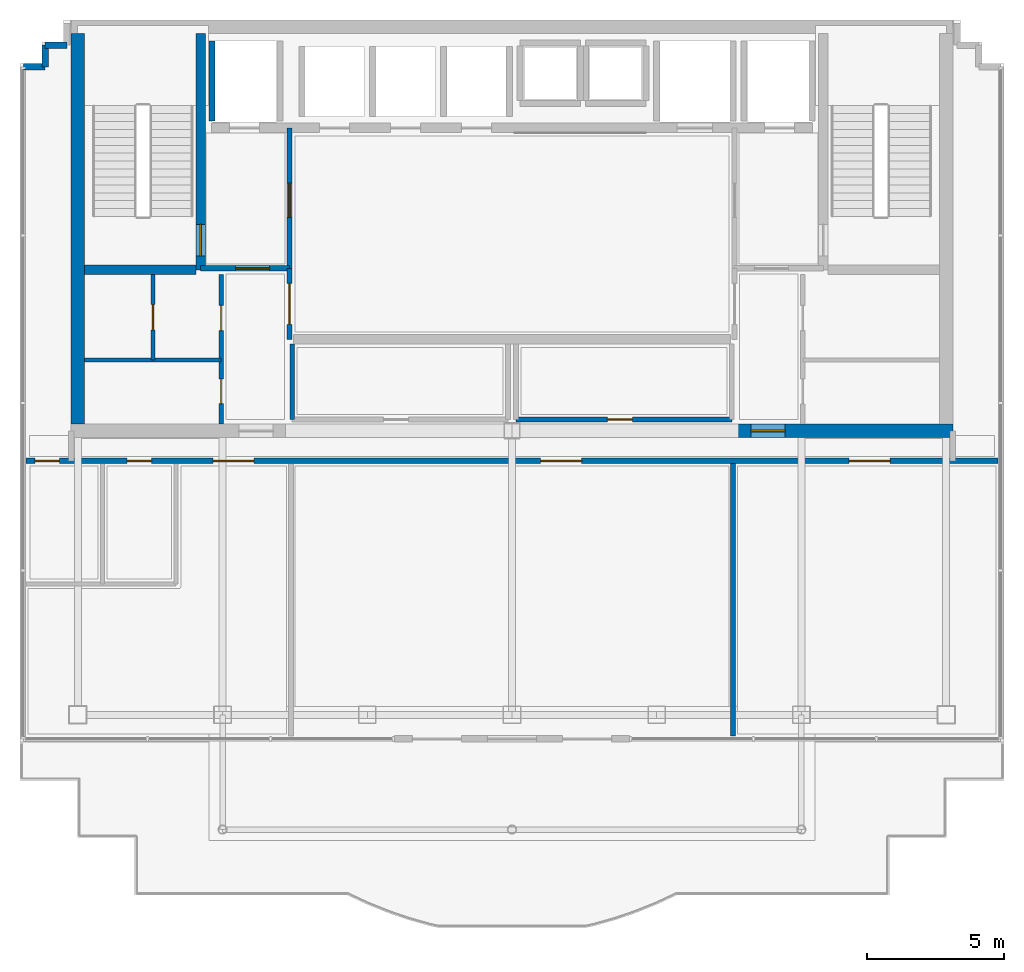
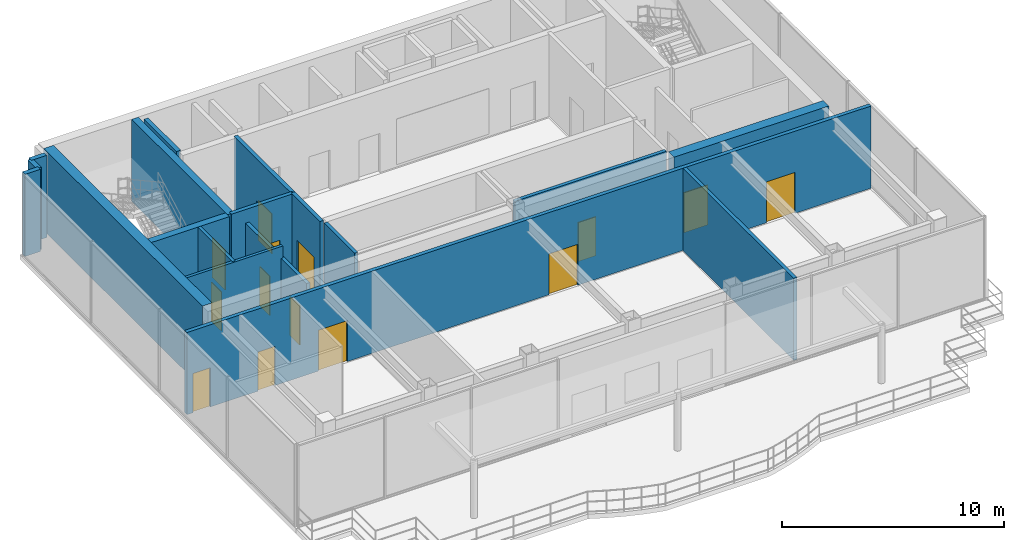
# One storey, part 5 of 11: 18 walls, 14 doors, 14 openings.
"""IFC4 building model written with IfcOpenShell, lengths in metres."""

from ifc_helpers import new_model, si_unit, direction, frame, frame_2d, origin, place, context, subcontext, project, spatial, rectangle, extrude, material, layer, layer_set, type_object, element, fill, save


model = new_model("IFC4")

# Units and contexts
model_context = context("Model", 3, precision=1e-05, world=origin(), true_north=direction((0.0, 1.0)))
body_context = subcontext(model_context, "Body", "Model", "MODEL_VIEW")
ifc_project = project(units=[si_unit("LENGTHUNIT", "METRE"), si_unit("AREAUNIT", "SQUARE_METRE"), si_unit("VOLUMEUNIT", "CUBIC_METRE"), si_unit("PLANEANGLEUNIT", "RADIAN"), si_unit("MASSUNIT", "GRAM", prefix="KILO")], contexts=[model_context])

# Site, building, storey
site_placement = place(None, origin())
site = spatial("IfcSite", under=ifc_project, at=site_placement, CompositionType="ELEMENT")
building_placement = place(site_placement, origin())
building = spatial("IfcBuilding", under=site, at=building_placement, Name="Qianlan Lanfeng Residences", CompositionType="ELEMENT")
storey_placement = place(building_placement, frame((0.0, 0.0, 266.0)))
storey = spatial("IfcBuildingStorey", under=building, at=storey_placement, Name="L74", CompositionType="ELEMENT", Elevation=266.0)

# Wall
ifc_material_1 = material(Name="Concrete C49", Category="concrete")
ifc_layer_1 = layer(ifc_material_1, 0.5)
ifc_layer_set_1 = layer_set([ifc_layer_1], Name="Concrete C49")
wall_type_1 = type_object("IfcWallType", Name="CW-EXT-500", PredefinedType="SHEAR", material=ifc_layer_set_1)
wall_1_placement = place(storey_placement, frame((10.60009765625, 25.449951171875, 0.0), z_axis=(0.0, 0.0, 1.0), x_axis=(0.0, 1.0, 0.0)))
element("IfcWall", 1, at=wall_1_placement, inside=storey, type_object=wall_type_1, Name="L74 Core Shear Wall W", PredefinedType="SHEAR", context=body_context, shape_type="SweptSolid", body=[
    extrude(rectangle(XDim=14.300048828125, YDim=0.5, at=frame_2d((7.14990234375, 0.0))), origin(), (0.0, 0.0, 1.0), 4.52001953125),
])

# Wall, opening, door
ifc_layer_2 = layer(ifc_material_1, 0.35009765625)
ifc_layer_set_2 = layer_set([ifc_layer_2], Name="Concrete C49")
wall_type_2 = type_object("IfcWallType", Name="CW-RC-350", PredefinedType="SHEAR", material=ifc_layer_set_2)
wall_2_placement = place(storey_placement, frame((15.10009765625, 31.10009765625, 0.0), z_axis=(0.0, 0.0, 1.0), x_axis=(0.0, 1.0, 0.0)))
wall_2 = element("IfcWall", 2, at=wall_2_placement, inside=storey, type_object=wall_type_2, Name="L74 Core Shear Wall ST1E", PredefinedType="SHEAR", context=body_context, shape_type="SweptSolid", body=[
    extrude(rectangle(XDim=8.64990234375, YDim=0.35009765625, at=frame_2d((4.324951171875, 0.0))), origin(), (0.0, 0.0, 1.0), 4.52001953125),
])
opening_1_placement = place(wall_2_placement, frame((0.510009765625, 0.0, 0.0)))
opening_1 = element("IfcOpeningElement", 3, at=opening_1_placement, cuts=wall_2, Name="Opening L74-D07", PredefinedType="OPENING", context=body_context, shape_type="SweptSolid", body=[
    extrude(rectangle(XDim=1.14990234375, YDim=2.199951171875, at=frame_2d((0.574951171875, 1.10009765625))), frame((0.0, 0.18505859375, 0.0), z_axis=(0.0, -1.0, 0.0), x_axis=(1.0, 0.0, 0.0)), (0.0, 0.0, 1.0), 0.3701171875),
])
ifc_material_2 = material(Name="Painted Galvanised Steel Fire Door", Category="steel")
door_type_1 = type_object("IfcDoorType", Name="DT-ST1", OperationType="NOTDEFINED", PredefinedType="DOOR", material=ifc_material_2)
door_1_placement = place(opening_1_placement, frame((1.14990234375, 0.0, 0.0), z_axis=(0.0, 0.0, 1.0), x_axis=(-1.0, 0.0, 0.0)))
door_1 = element("IfcDoor", 4, at=door_1_placement, inside=storey, type_object=door_type_1, Name="L74 Exit Stair ST-1 Door L74-D07 (DT-ST1)", OperationType="SINGLE_SWING_RIGHT", OverallHeight=2.199951171875, OverallWidth=1.14990234375, PredefinedType="DOOR", context=body_context, shape_type="SweptSolid", body=[
    extrude(rectangle(XDim=1.14990234375, YDim=2.199951171875, at=frame_2d((0.574951171875, 1.10009765625))), frame((0.0, 0.02490234375, 0.0), z_axis=(0.0, -1.0, 0.0), x_axis=(1.0, 0.0, 0.0)), (0.0, 0.0, 1.0), 0.050048828125),
])
fill(opening_1, door_1)

# Wall
wall_3_placement = place(storey_placement, frame((10.85009765625, 31.10009765625, 0.0), z_axis=(0.0, 0.0, 1.0), x_axis=(1.0, 0.0, 0.0)))
element("IfcWall", 5, at=wall_3_placement, inside=storey, type_object=wall_type_2, Name="L74 Core Shear Wall ST1S", PredefinedType="SHEAR", context=body_context, shape_type="SweptSolid", body=[
    extrude(rectangle(XDim=4.074951171875, YDim=0.35009765625, at=frame_2d((2.03759765625, 0.0))), origin(), (0.0, 0.0, 1.0), 4.52001953125),
])

# Wall, opening, door
ifc_material_3 = material(Name="Concrete C70", Category="concrete")
ifc_layer_3 = layer(ifc_material_3, 0.5)
ifc_layer_set_3 = layer_set([ifc_layer_3], Name="Concrete C70")
wall_type_3 = type_object("IfcWallType", Name="CW-RC-500", PredefinedType="SHEAR", material=ifc_layer_set_3)
wall_4_placement = place(storey_placement, frame((34.60009765625, 25.199951171875, 0.0), z_axis=(0.0, 0.0, 1.0), x_axis=(1.0, 0.0, 0.0)))
wall_4 = element("IfcWall", 6, at=wall_4_placement, inside=storey, type_object=wall_type_3, Name="L74 Core Shear Wall SE", PredefinedType="SHEAR", context=body_context, shape_type="SweptSolid", body=[
    extrude(rectangle(XDim=8.0498046875, YDim=0.5, at=frame_2d((4.02490234375, 0.0))), origin(), (0.0, 0.0, 1.0), 4.52001953125),
])
opening_2_placement = place(wall_4_placement, frame((0.64990234375, 0.0, 0.0)))
opening_2 = element("IfcOpeningElement", 7, at=opening_2_placement, cuts=wall_4, Name="Opening L74-D02", PredefinedType="OPENING", context=body_context, shape_type="SweptSolid", body=[
    extrude(rectangle(XDim=1.25, YDim=2.199951171875, at=frame_2d((0.625, 1.10009765625))), frame((0.0, 0.260009765625, 0.0), z_axis=(0.0, -1.0, 0.0), x_axis=(1.0, 0.0, 0.0)), (0.0, 0.0, 1.0), 0.52001953125),
])
door_type_2 = type_object("IfcDoorType", Name="DT-FFL", OperationType="NOTDEFINED", PredefinedType="DOOR", material=ifc_material_2)
door_2_placement = place(opening_2_placement, origin())
door_2 = element("IfcDoor", 8, at=door_2_placement, inside=storey, type_object=door_type_2, Name="L74 East Core Lobby Smoke Door L74-D02 (DT-FFL)", OperationType="SINGLE_SWING_LEFT", OverallHeight=2.199951171875, OverallWidth=1.25, PredefinedType="DOOR", context=body_context, shape_type="SweptSolid", body=[
    extrude(rectangle(XDim=1.25, YDim=2.199951171875, at=frame_2d((0.625, 1.10009765625))), frame((0.0, 0.02490234375, 0.0), z_axis=(0.0, -1.0, 0.0), x_axis=(1.0, 0.0, 0.0)), (0.0, 0.0, 1.0), 0.050048828125),
])
fill(opening_2, door_2)

# Walls
ifc_material_4 = material(Name="Concrete C42", Category="concrete")
ifc_layer_4 = layer(ifc_material_4, 0.239990234375)
ifc_layer_set_4 = layer_set([ifc_layer_4], Name="Concrete C42")
wall_type_4 = type_object("IfcWallType", Name="EW-240", PredefinedType="SOLIDWALL", material=ifc_layer_set_4)
for number, where, z_axis, x_axis, name in (
    (9, (10.199951171875, 39.330078125, 0.0), (0.0, 0.0, 1.0), (-1.0, 0.0, 0.0), "L74 Exterior Facade Wall 3"),
    (10, (9.39990234375, 39.330078125, 0.0), (0.0, 0.0, 1.0), (0.0, -1.0, 0.0), "L74 Exterior Facade Wall 4"),
):
    element("IfcWall", number, at=place(storey_placement, frame(where, z_axis=z_axis, x_axis=x_axis)), inside=storey, type_object=wall_type_4, Name=name, PredefinedType="SOLIDWALL", context=body_context, shape_type="SweptSolid", body=[
        extrude(rectangle(XDim=0.800048828125, YDim=0.239990234375, at=frame_2d((0.39990234375, 0.0))), origin(), (0.0, 0.0, 1.0), 4.52001953125),
    ])
wall_5_placement = place(storey_placement, frame((9.39990234375, 38.530029296875, 0.0), z_axis=(0.0, 0.0, 1.0), x_axis=(-1.0, 0.0, 0.0)))
element("IfcWall", 11, at=wall_5_placement, inside=storey, type_object=wall_type_4, Name="L74 Exterior Facade Wall 5", PredefinedType="SOLIDWALL", context=body_context, shape_type="SweptSolid", body=[
    extrude(rectangle(XDim=0.7998046875, YDim=0.239990234375, at=frame_2d((0.39990234375, 0.0))), origin(), (0.0, 0.0, 1.0), 4.52001953125),
])
ifc_material_5 = material(Name="Acoustic Drywall Partition 150 mm")
ifc_layer_5 = layer(ifc_material_5, 0.14990234375)
ifc_layer_set_5 = layer_set([ifc_layer_5], Name="Acoustic Drywall Partition 150 mm")
wall_type_5 = type_object("IfcWallType", Name="PW-150", PredefinedType="PARTITIONING", material=ifc_layer_set_5)
wall_6_placement = place(storey_placement, frame((10.85009765625, 27.800048828125, 0.0), z_axis=(0.0, 0.0, 1.0), x_axis=(1.0, 0.0, 0.0)))
element("IfcWall", 12, at=wall_6_placement, inside=storey, type_object=wall_type_5, Name="L74 Core West H4", PredefinedType="PARTITIONING", context=body_context, shape_type="SweptSolid", body=[
    extrude(rectangle(XDim=5.0, YDim=0.14990234375, at=frame_2d((2.5, 0.0))), origin(), (0.0, 0.0, 1.0), 4.52001953125),
])

# Wall, opening, door
wall_7_placement = place(storey_placement, frame((13.35009765625, 27.800048828125, 0.0), z_axis=(0.0, 0.0, 1.0), x_axis=(0.0, 1.0, 0.0)))
wall_7 = element("IfcWall", 13, at=wall_7_placement, inside=storey, type_object=wall_type_5, Name="L74 Core West V4", PredefinedType="PARTITIONING", context=body_context, shape_type="SweptSolid", body=[
    extrude(rectangle(XDim=3.125, YDim=0.14990234375, at=frame_2d((1.5625, 0.0))), origin(), (0.0, 0.0, 1.0), 4.52001953125),
])
opening_3_placement = place(wall_7_placement, frame((1.10302734375, 0.0, 0.0)))
opening_3 = element("IfcOpeningElement", 14, at=opening_3_placement, cuts=wall_7, Name="Opening L74-D11", PredefinedType="OPENING", context=body_context, shape_type="SweptSolid", body=[
    extrude(rectangle(XDim=0.919921875, YDim=2.14990234375, at=frame_2d((0.4599609375, 1.074951171875))), frame((0.0, 0.0849609375, 0.0), z_axis=(0.0, -1.0, 0.0), x_axis=(1.0, 0.0, 0.0)), (0.0, 0.0, 1.0), 0.169921875),
])
ifc_material_6 = material(Name="Glazed Timber Kitchen/Study Door", Category="wood")
door_type_3 = type_object("IfcDoorType", Name="DT-INT", OperationType="NOTDEFINED", PredefinedType="DOOR", material=ifc_material_6)
door_3_placement = place(opening_3_placement, origin())
door_3 = element("IfcDoor", 15, at=door_3_placement, inside=storey, type_object=door_type_3, Name="L74 Linen Store Door L74-D11 (DT-INT)", OperationType="SINGLE_SWING_RIGHT", OverallHeight=2.14990234375, OverallWidth=0.919921875, PredefinedType="DOOR", context=body_context, shape_type="SweptSolid", body=[
    extrude(rectangle(XDim=0.919921875, YDim=2.14990234375, at=frame_2d((0.4599609375, 1.074951171875))), frame((0.0, 0.02490234375, 0.0), z_axis=(0.0, -1.0, 0.0), x_axis=(1.0, 0.0, 0.0)), (0.0, 0.0, 1.0), 0.050048828125),
])
fill(opening_3, door_3)

# Wall, openings, doors
ifc_material_7 = material(Name="Double-Layer Acoustic Gypsum Stud Wall 180 mm")
ifc_layer_6 = layer(ifc_material_7, 0.179931640625)
ifc_layer_set_6 = layer_set([ifc_layer_6], Name="Double-Layer Acoustic Gypsum Stud Wall 180 mm")
wall_type_6 = type_object("IfcWallType", Name="PW-180", PredefinedType="PARTITIONING", material=ifc_layer_set_6)
wall_8_placement = place(storey_placement, frame((15.85009765625, 25.449951171875, 0.0), z_axis=(0.0, 0.0, 1.0), x_axis=(0.0, 1.0, 0.0)))
wall_8 = element("IfcWall", 16, at=wall_8_placement, inside=storey, type_object=wall_type_6, Name="L74 Core West Service Room Wall", PredefinedType="PARTITIONING", context=body_context, shape_type="SweptSolid", body=[
    extrude(rectangle(XDim=5.47509765625, YDim=0.179931640625, at=frame_2d((2.737548828125, 0.0))), origin(), (0.0, 0.0, 1.0), 3.864990234375),
])
opening_4_placement = place(wall_8_placement, frame((0.75, 0.0, 0.0)))
opening_4 = element("IfcOpeningElement", 17, at=opening_4_placement, cuts=wall_8, Name="Opening L74-D09", PredefinedType="OPENING", context=body_context, shape_type="SweptSolid", body=[
    extrude(rectangle(XDim=0.89990234375, YDim=2.14990234375, at=frame_2d((0.449951171875, 1.074951171875))), frame((0.0, 0.10009765625, 0.0), z_axis=(0.0, -1.0, 0.0), x_axis=(1.0, 0.0, 0.0)), (0.0, 0.0, 1.0), 0.199951171875),
])
opening_5_placement = place(wall_8_placement, frame((3.427001953125, 0.0, 0.0)))
opening_5 = element("IfcOpeningElement", 18, at=opening_5_placement, cuts=wall_8, Name="Opening L74-D10", PredefinedType="OPENING", context=body_context, shape_type="SweptSolid", body=[
    extrude(rectangle(XDim=0.919921875, YDim=2.14990234375, at=frame_2d((0.4599609375, 1.074951171875))), frame((0.0, 0.10009765625, 0.0), z_axis=(0.0, -1.0, 0.0), x_axis=(1.0, 0.0, 0.0)), (0.0, 0.0, 1.0), 0.199951171875),
])
door_4_placement = place(opening_5_placement, origin())
door_4 = element("IfcDoor", 19, at=door_4_placement, inside=storey, type_object=door_type_3, Name="L74 Janitor Hall Door L74-D10 (DT-INT)", OperationType="SINGLE_SWING_LEFT", OverallHeight=2.14990234375, OverallWidth=0.919921875, PredefinedType="DOOR", context=body_context, shape_type="SweptSolid", body=[
    extrude(rectangle(XDim=0.919921875, YDim=2.14990234375, at=frame_2d((0.4599609375, 1.074951171875))), frame((0.0, 0.02490234375, 0.0), z_axis=(0.0, -1.0, 0.0), x_axis=(1.0, 0.0, 0.0)), (0.0, 0.0, 1.0), 0.050048828125),
])
fill(opening_5, door_4)
ifc_material_8 = material(Name="Moisture-Resistant Timber Leaf", Category="wood")
door_type_4 = type_object("IfcDoorType", Name="DT-WC", OperationType="NOTDEFINED", PredefinedType="DOOR", material=ifc_material_8)
door_5_placement = place(opening_4_placement, origin())
door_5 = element("IfcDoor", 20, at=door_5_placement, inside=storey, type_object=door_type_4, Name="L74 Staff WC Door L74-D09 (DT-WC)", OperationType="SINGLE_SWING_LEFT", OverallHeight=2.14990234375, OverallWidth=0.89990234375, PredefinedType="DOOR", context=body_context, shape_type="SweptSolid", body=[
    extrude(rectangle(XDim=0.89990234375, YDim=2.14990234375, at=frame_2d((0.449951171875, 1.074951171875))), frame((0.0, 0.02490234375, 0.0), z_axis=(0.0, -1.0, 0.0), x_axis=(1.0, 0.0, 0.0)), (0.0, 0.0, 1.0), 0.050048828125),
])
fill(opening_4, door_5)

# Wall
wall_9_placement = place(storey_placement, frame((18.449951171875, 25.6201171875, 0.0), z_axis=(0.0, 0.0, 1.0), x_axis=(0.0, 1.0, 0.0)))
element("IfcWall", 21, at=wall_9_placement, inside=storey, type_object=wall_type_6, Name="L74 Reclaimed Low-Bank Room West Wall", PredefinedType="PARTITIONING", context=body_context, shape_type="SweptSolid", body=[
    extrude(rectangle(XDim=2.7548828125, YDim=0.179931640625, at=frame_2d((1.37744140625, 0.0))), origin(), (0.0, 0.0, 1.0), 4.52001953125),
])

# Wall, opening, door
wall_10_placement = place(storey_placement, frame((26.64990234375, 25.6201171875, 0.0), z_axis=(0.0, 0.0, 1.0), x_axis=(1.0, 0.0, 0.0)))
wall_10 = element("IfcWall", 22, at=wall_10_placement, inside=storey, type_object=wall_type_6, Name="L74 Reclaimed Mid-Bank Room South Wall", PredefinedType="PARTITIONING", context=body_context, shape_type="SweptSolid", body=[
    extrude(rectangle(XDim=7.900146484375, YDim=0.179931640625, at=frame_2d((3.9501953125, 0.0))), origin(), (0.0, 0.0, 1.0), 4.52001953125),
])
opening_6_placement = place(wall_10_placement, frame((3.340087890625, 0.0, 0.0)))
opening_6 = element("IfcOpeningElement", 23, at=opening_6_placement, cuts=wall_10, Name="Opening L74-D17", PredefinedType="OPENING", context=body_context, shape_type="SweptSolid", body=[
    extrude(rectangle(XDim=0.919921875, YDim=2.14990234375, at=frame_2d((0.4599609375, 1.074951171875))), frame((0.0, 0.10009765625, 0.0), z_axis=(0.0, -1.0, 0.0), x_axis=(1.0, 0.0, 0.0)), (0.0, 0.0, 1.0), 0.199951171875),
])
door_6_placement = place(opening_6_placement, origin())
door_6 = element("IfcDoor", 24, at=door_6_placement, inside=storey, type_object=door_type_3, Name="L74 Reclaimed Mid-Bank Salon Door L74-D17 (DT-INT)", OperationType="SINGLE_SWING_RIGHT", OverallHeight=2.14990234375, OverallWidth=0.919921875, PredefinedType="DOOR", context=body_context, shape_type="SweptSolid", body=[
    extrude(rectangle(XDim=0.919921875, YDim=2.14990234375, at=frame_2d((0.4599609375, 1.074951171875))), frame((0.0, 0.02490234375, 0.0), z_axis=(0.0, -1.0, 0.0), x_axis=(1.0, 0.0, 0.0)), (0.0, 0.0, 1.0), 0.050048828125),
])
fill(opening_6, door_6)

# Wall
wall_11_placement = place(storey_placement, frame((34.60009765625, 14.02001953125, 0.0), z_axis=(0.0, 0.0, 1.0), x_axis=(0.0, 1.0, 0.0)))
element("IfcWall", 25, at=wall_11_placement, inside=storey, type_object=wall_type_6, Name="L74 East Viewing Room Partition", PredefinedType="PARTITIONING", context=body_context, shape_type="SweptSolid", body=[
    extrude(rectangle(XDim=9.97998046875, YDim=0.179931640625, at=frame_2d((4.989990234375, 0.0))), origin(), (0.0, 0.0, 1.0), 4.52001953125),
])

# Wall, opening, door
ifc_material_9 = material(Name="Autoclaved Aerated Concrete Blockwork 200 mm", Category="masonry")
ifc_layer_7 = layer(ifc_material_9, 0.199951171875)
ifc_layer_set_7 = layer_set([ifc_layer_7], Name="Autoclaved Aerated Concrete Blockwork 200 mm")
wall_type_7 = type_object("IfcWallType", Name="PW-200", PredefinedType="PARTITIONING", material=ifc_layer_set_7)
wall_12_placement = place(storey_placement, frame((15.10009765625, 31.14990234375, 0.0), z_axis=(0.0, 0.0, 1.0), x_axis=(1.0, 0.0, 0.0)))
wall_12 = element("IfcWall", 26, at=wall_12_placement, inside=storey, type_object=wall_type_7, Name="L74 Firefighting Lobby 1 South Wall", PredefinedType="PARTITIONING", context=body_context, shape_type="SweptSolid", body=[
    extrude(rectangle(XDim=3.25, YDim=0.199951171875, at=frame_2d((1.625, 0.0))), origin(), (0.0, 0.0, 1.0), 4.52001953125),
])
opening_7_placement = place(wall_12_placement, frame((1.27490234375, 0.0, 0.0)))
opening_7 = element("IfcOpeningElement", 27, at=opening_7_placement, cuts=wall_12, Name="Opening L74-D03", PredefinedType="OPENING", context=body_context, shape_type="SweptSolid", body=[
    extrude(rectangle(XDim=1.25, YDim=2.199951171875, at=frame_2d((0.625, 1.10009765625))), frame((0.0, 0.10986328125, 0.0), z_axis=(0.0, -1.0, 0.0), x_axis=(1.0, 0.0, 0.0)), (0.0, 0.0, 1.0), 0.219970703125),
])
door_7_placement = place(opening_7_placement, origin())
door_7 = element("IfcDoor", 28, at=door_7_placement, inside=storey, type_object=door_type_2, Name="L74 Firefighting Lobby 1 Entry Door L74-D03 (DT-FFL)", OperationType="SINGLE_SWING_LEFT", OverallHeight=2.199951171875, OverallWidth=1.25, PredefinedType="DOOR", context=body_context, shape_type="SweptSolid", body=[
    extrude(rectangle(XDim=1.25, YDim=2.199951171875, at=frame_2d((0.625, 1.10009765625))), frame((0.0, 0.02490234375, 0.0), z_axis=(0.0, -1.0, 0.0), x_axis=(1.0, 0.0, 0.0)), (0.0, 0.0, 1.0), 0.050048828125),
])
fill(opening_7, door_7)

wall_13_placement = place(storey_placement, frame((18.35009765625, 31.14990234375, 0.0), z_axis=(0.0, 0.0, 1.0), x_axis=(0.0, 1.0, 0.0)))
wall_13 = element("IfcWall", 29, at=wall_13_placement, inside=storey, type_object=wall_type_7, Name="L74 Firefighting Lobby 1 East Wall", PredefinedType="PARTITIONING", context=body_context, shape_type="SweptSolid", body=[
    extrude(rectangle(XDim=5.150146484375, YDim=0.199951171875, at=frame_2d((2.5751953125, 0.0))), origin(), (0.0, 0.0, 1.0), 4.52001953125),
])
opening_8_placement = place(wall_13_placement, frame((1.875, 0.0, 0.0)))
opening_8 = element("IfcOpeningElement", 30, at=opening_8_placement, cuts=wall_13, Name="Opening L74-D04", PredefinedType="OPENING", context=body_context, shape_type="SweptSolid", body=[
    extrude(rectangle(XDim=1.25, YDim=2.199951171875, at=frame_2d((0.625, 1.10009765625))), frame((0.0, 0.10986328125, 0.0), z_axis=(0.0, -1.0, 0.0), x_axis=(1.0, 0.0, 0.0)), (0.0, 0.0, 1.0), 0.219970703125),
])
door_8_placement = place(opening_8_placement, origin())
door_8 = element("IfcDoor", 31, at=door_8_placement, inside=storey, type_object=door_type_2, Name="L74 Firefighting Lobby 1 Lift Lobby Door L74-D04 (DT-FFL)", OperationType="SINGLE_SWING_LEFT", OverallHeight=2.199951171875, OverallWidth=1.25, PredefinedType="DOOR", context=body_context, shape_type="SweptSolid", body=[
    extrude(rectangle(XDim=1.25, YDim=2.199951171875, at=frame_2d((0.625, 1.10009765625))), frame((0.0, 0.02490234375, 0.0), z_axis=(0.0, -1.0, 0.0), x_axis=(1.0, 0.0, 0.0)), (0.0, 0.0, 1.0), 0.050048828125),
])
fill(opening_8, door_8)

wall_14_placement = place(storey_placement, frame((18.35009765625, 28.550048828125, 0.0), z_axis=(0.0, 0.0, 1.0), x_axis=(0.0, 1.0, 0.0)))
wall_14 = element("IfcWall", 32, at=wall_14_placement, inside=storey, type_object=wall_type_7, Name="L74 Lift Lobby West Connector Wall", PredefinedType="PARTITIONING", context=body_context, shape_type="SweptSolid", body=[
    extrude(rectangle(XDim=2.599853515625, YDim=0.199951171875, at=frame_2d((1.2998046875, 0.0))), origin(), (0.0, 0.0, 1.0), 4.52001953125),
])
opening_9_placement = place(wall_14_placement, frame((0.550048828125, 0.0, 0.0)))
opening_9 = element("IfcOpeningElement", 33, at=opening_9_placement, cuts=wall_14, Name="Opening L74-D14", PredefinedType="OPENING", context=body_context, shape_type="SweptSolid", body=[
    extrude(rectangle(XDim=1.5, YDim=2.25, at=frame_2d((0.75, 1.125))), frame((0.0, 0.10986328125, 0.0), z_axis=(0.0, -1.0, 0.0), x_axis=(1.0, 0.0, 0.0)), (0.0, 0.0, 1.0), 0.219970703125),
])
ifc_material_10 = material(Name="Timber Veneer Acoustic Fire Door", Category="wood")
door_type_5 = type_object("IfcDoorType", Name="DT-COR1", OperationType="NOTDEFINED", PredefinedType="DOOR", material=ifc_material_10)
door_9_placement = place(opening_9_placement, origin())
door_9 = element("IfcDoor", 34, at=door_9_placement, inside=storey, type_object=door_type_5, Name="L74 Lift Lobby West Portal Door L74-D14 (DT-COR1)", OperationType="DOUBLE_DOOR_SINGLE_SWING", OverallHeight=2.25, OverallWidth=1.5, PredefinedType="DOOR", context=body_context, shape_type="SweptSolid", body=[
    extrude(rectangle(XDim=1.5, YDim=2.25, at=frame_2d((0.75, 1.125))), frame((0.0, 0.02490234375, 0.0), z_axis=(0.0, -1.0, 0.0), x_axis=(1.0, 0.0, 0.0)), (0.0, 0.0, 1.0), 0.050048828125),
])
fill(opening_9, door_9)

# Wall, openings, doors
wall_15_placement = place(storey_placement, frame((8.699951171875, 24.10009765625, 0.0), z_axis=(0.0, 0.0, 1.0), x_axis=(1.0, 0.0, 0.0)))
wall_15 = element("IfcWall", 35, at=wall_15_placement, inside=storey, type_object=wall_type_7, Name="L74 Observation Concourse Wall", PredefinedType="PARTITIONING", context=body_context, shape_type="SweptSolid", body=[
    extrude(rectangle(XDim=35.60009765625, YDim=0.199951171875, at=frame_2d((17.800048828125, 0.0))), origin(), (0.0, 0.0, 1.0), 4.52001953125),
])
opening_10_placement = place(wall_15_placement, frame((6.85009765625, 0.0, 0.0)))
opening_10 = element("IfcOpeningElement", 36, at=opening_10_placement, cuts=wall_15, Name="Opening L74-D18", PredefinedType="OPENING", context=body_context, shape_type="SweptSolid", body=[
    extrude(rectangle(XDim=1.5, YDim=2.25, at=frame_2d((0.75, 1.125))), frame((0.0, 0.10986328125, 0.0), z_axis=(0.0, -1.0, 0.0), x_axis=(1.0, 0.0, 0.0)), (0.0, 0.0, 1.0), 0.219970703125),
])
opening_11_placement = place(wall_15_placement, frame((18.85009765625, 0.0, 0.0)))
opening_11 = element("IfcOpeningElement", 37, at=opening_11_placement, cuts=wall_15, Name="Opening L74-D19", PredefinedType="OPENING", context=body_context, shape_type="SweptSolid", body=[
    extrude(rectangle(XDim=1.5, YDim=2.25, at=frame_2d((0.75, 1.125))), frame((0.0, 0.10986328125, 0.0), z_axis=(0.0, -1.0, 0.0), x_axis=(1.0, 0.0, 0.0)), (0.0, 0.0, 1.0), 0.219970703125),
])
opening_12_placement = place(wall_15_placement, frame((30.14990234375, 0.0, 0.0)))
opening_12 = element("IfcOpeningElement", 38, at=opening_12_placement, cuts=wall_15, Name="Opening L74-D20", PredefinedType="OPENING", context=body_context, shape_type="SweptSolid", body=[
    extrude(rectangle(XDim=1.5, YDim=2.25, at=frame_2d((0.75, 1.125))), frame((0.0, 0.10986328125, 0.0), z_axis=(0.0, -1.0, 0.0), x_axis=(1.0, 0.0, 0.0)), (0.0, 0.0, 1.0), 0.219970703125),
])
opening_13_placement = place(wall_15_placement, frame((0.324951171875, 0.0, 0.0)))
opening_13 = element("IfcOpeningElement", 39, at=opening_13_placement, cuts=wall_15, Name="Opening L74-D21", PredefinedType="OPENING", context=body_context, shape_type="SweptSolid", body=[
    extrude(rectangle(XDim=0.89990234375, YDim=2.14990234375, at=frame_2d((0.449951171875, 1.074951171875))), frame((0.0, 0.10986328125, 0.0), z_axis=(0.0, -1.0, 0.0), x_axis=(1.0, 0.0, 0.0)), (0.0, 0.0, 1.0), 0.219970703125),
])
opening_14_placement = place(wall_15_placement, frame((3.699951171875, 0.0, 0.0)))
opening_14 = element("IfcOpeningElement", 40, at=opening_14_placement, cuts=wall_15, Name="Opening L74-D22", PredefinedType="OPENING", context=body_context, shape_type="SweptSolid", body=[
    extrude(rectangle(XDim=0.89990234375, YDim=2.14990234375, at=frame_2d((0.449951171875, 1.074951171875))), frame((0.0, 0.10986328125, 0.0), z_axis=(0.0, -1.0, 0.0), x_axis=(1.0, 0.0, 0.0)), (0.0, 0.0, 1.0), 0.219970703125),
])
door_10_placement = place(opening_10_placement, frame((1.5, 0.0, 0.0), z_axis=(0.0, 0.0, 1.0), x_axis=(-1.0, 0.0, 0.0)))
door_10 = element("IfcDoor", 41, at=door_10_placement, inside=storey, type_object=door_type_5, Name="L74 Exhibition Alcove Door L74-D18 (DT-COR1)", OperationType="DOUBLE_DOOR_SINGLE_SWING", OverallHeight=2.25, OverallWidth=1.5, PredefinedType="DOOR", context=body_context, shape_type="SweptSolid", body=[
    extrude(rectangle(XDim=1.5, YDim=2.25, at=frame_2d((0.75, 1.125))), frame((0.0, 0.02490234375, 0.0), z_axis=(0.0, -1.0, 0.0), x_axis=(1.0, 0.0, 0.0)), (0.0, 0.0, 1.0), 0.050048828125),
])
fill(opening_10, door_10)
door_11_placement = place(opening_11_placement, origin())
door_11 = element("IfcDoor", 42, at=door_11_placement, inside=storey, type_object=door_type_5, Name="L74 Sky Observation Gallery Door L74-D19 (DT-COR1)", OperationType="DOUBLE_DOOR_SINGLE_SWING", OverallHeight=2.25, OverallWidth=1.5, PredefinedType="DOOR", context=body_context, shape_type="SweptSolid", body=[
    extrude(rectangle(XDim=1.5, YDim=2.25, at=frame_2d((0.75, 1.125))), frame((0.0, 0.02490234375, 0.0), z_axis=(0.0, -1.0, 0.0), x_axis=(1.0, 0.0, 0.0)), (0.0, 0.0, 1.0), 0.050048828125),
])
fill(opening_11, door_11)
door_12_placement = place(opening_12_placement, frame((1.5, 0.0, 0.0), z_axis=(0.0, 0.0, 1.0), x_axis=(-1.0, 0.0, 0.0)))
door_12 = element("IfcDoor", 43, at=door_12_placement, inside=storey, type_object=door_type_5, Name="L74 Telescope Viewing Room Door L74-D20 (DT-COR1)", OperationType="DOUBLE_DOOR_SINGLE_SWING", OverallHeight=2.25, OverallWidth=1.5, PredefinedType="DOOR", context=body_context, shape_type="SweptSolid", body=[
    extrude(rectangle(XDim=1.5, YDim=2.25, at=frame_2d((0.75, 1.125))), frame((0.0, 0.02490234375, 0.0), z_axis=(0.0, -1.0, 0.0), x_axis=(1.0, 0.0, 0.0)), (0.0, 0.0, 1.0), 0.050048828125),
])
fill(opening_12, door_12)
door_13_placement = place(opening_13_placement, frame((0.89990234375, 0.0, 0.0), z_axis=(0.0, 0.0, 1.0), x_axis=(-1.0, 0.0, 0.0)))
door_13 = element("IfcDoor", 44, at=door_13_placement, inside=storey, type_object=door_type_4, Name="L74 L74 Public Restroom Door L74-D21 (DT-WC)", OperationType="SINGLE_SWING_LEFT", OverallHeight=2.14990234375, OverallWidth=0.89990234375, PredefinedType="DOOR", context=body_context, shape_type="SweptSolid", body=[
    extrude(rectangle(XDim=0.89990234375, YDim=2.14990234375, at=frame_2d((0.449951171875, 1.074951171875))), frame((0.0, 0.02490234375, 0.0), z_axis=(0.0, -1.0, 0.0), x_axis=(1.0, 0.0, 0.0)), (0.0, 0.0, 1.0), 0.050048828125),
])
fill(opening_13, door_13)
door_14_placement = place(opening_14_placement, frame((0.89990234375, 0.0, 0.0), z_axis=(0.0, 0.0, 1.0), x_axis=(-1.0, 0.0, 0.0)))
door_14 = element("IfcDoor", 45, at=door_14_placement, inside=storey, type_object=door_type_4, Name="L74 L74 Accessible WC Door L74-D22 (DT-WC)", OperationType="SINGLE_SWING_LEFT", OverallHeight=2.14990234375, OverallWidth=0.89990234375, PredefinedType="DOOR", context=body_context, shape_type="SweptSolid", body=[
    extrude(rectangle(XDim=0.89990234375, YDim=2.14990234375, at=frame_2d((0.449951171875, 1.074951171875))), frame((0.0, 0.02490234375, 0.0), z_axis=(0.0, -1.0, 0.0), x_axis=(1.0, 0.0, 0.0)), (0.0, 0.0, 1.0), 0.050048828125),
])
fill(opening_14, door_14)

# Wall
ifc_layer_8 = layer(ifc_material_1, 0.219970703125)
ifc_layer_set_8 = layer_set([ifc_layer_8], Name="Concrete C49")
wall_type_8 = type_object("IfcWallType", Name="SHW-220", PredefinedType="SOLIDWALL", material=ifc_layer_set_8)
wall_16_placement = place(storey_placement, frame((15.52001953125, 36.550048828125, 0.0), z_axis=(0.0, 0.0, 1.0), x_axis=(0.0, 1.0, 0.0)))
element("IfcWall", 46, at=wall_16_placement, inside=storey, type_object=wall_type_8, Name="L74 Lift FFL-1 Shaft Wall W", PredefinedType="SOLIDWALL", context=body_context, shape_type="SweptSolid", body=[
    extrude(rectangle(XDim=2.929931640625, YDim=0.219970703125, at=frame_2d((1.46484375, 0.0))), origin(), (0.0, 0.0, 1.0), 4.52001953125),
])

save(model, "model.ifc")
